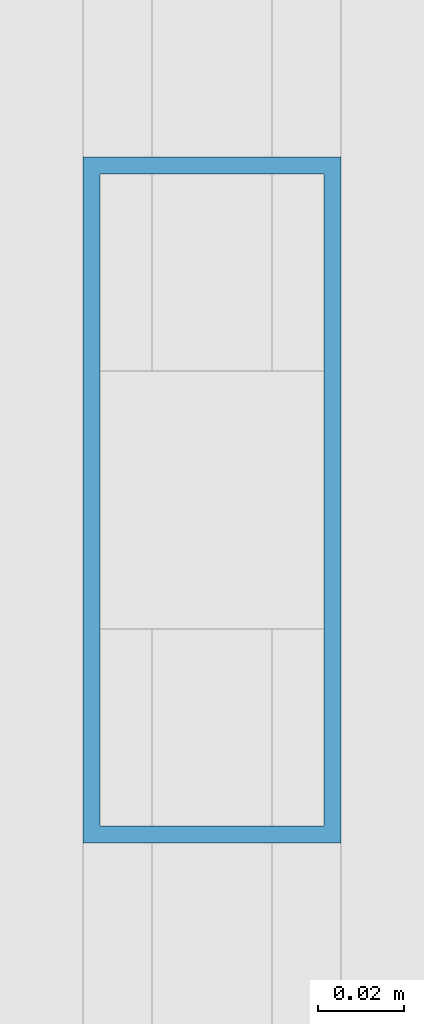
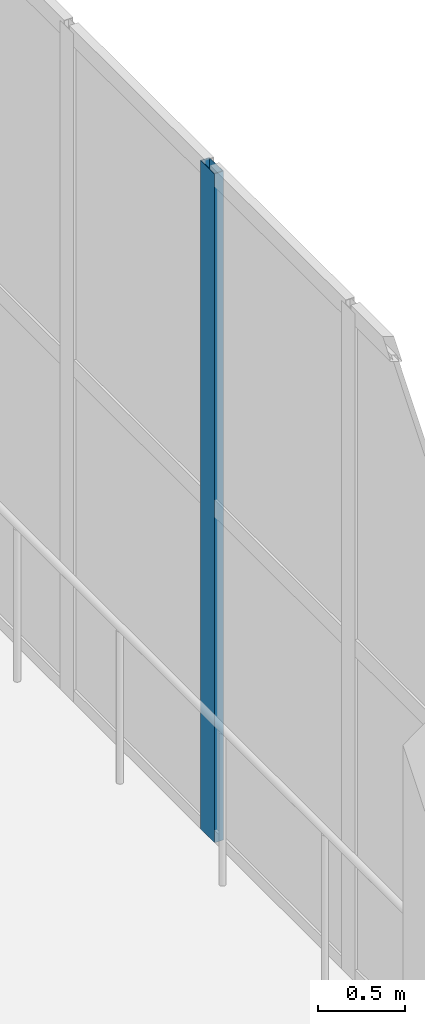
# One storey, part 36 of 223: 1 member, 1 element without a shape of its own.
"""IFC4 building model written with IfcOpenShell, lengths in metres."""

from ifc_helpers import new_model, si_unit, direction, frame, origin, origin_2d, place, context, subcontext, project, spatial, hollow_rectangle, extrude, material, layer, layer_set, material_profile, profile_set, type_object, element, aggregate, save


model = new_model("IFC4")

# Units and contexts
model_context = context("Model", 3, precision=1e-05, world=origin(), true_north=direction((0.0, 1.0)))
body_context = subcontext(model_context, "Body", "Model", "MODEL_VIEW")
ifc_project = project(units=[si_unit("LENGTHUNIT", "METRE"), si_unit("AREAUNIT", "SQUARE_METRE"), si_unit("VOLUMEUNIT", "CUBIC_METRE"), si_unit("PLANEANGLEUNIT", "RADIAN"), si_unit("MASSUNIT", "GRAM", prefix="KILO")], contexts=[model_context])

# Site, building, storey
site_placement = place(None, origin())
site = spatial("IfcSite", under=ifc_project, at=site_placement, CompositionType="ELEMENT")
building_placement = place(site_placement, origin())
building = spatial("IfcBuilding", under=site, at=building_placement, Name="Dornveld Trade and Exhibition Forum", CompositionType="ELEMENT")
storey_placement = place(building_placement, frame((0.0, 0.0, 6.0)))
storey = spatial("IfcBuildingStorey", under=building, at=storey_placement, Name="L01", CompositionType="ELEMENT", Elevation=6.0)

# Curtain wall, member
ifc_material_1 = material(Name="Dark-bronze anodised aluminium and low-E glass", Category="aluminium")
ifc_layer = layer(ifc_material_1, 0.172119140625)
ifc_layer_set = layer_set([ifc_layer], Name="Dark-bronze anodised aluminium and low-E glass")
curtain_wall_type = type_object("IfcCurtainWallType", Name="CW-SYS-10", PredefinedType="USERDEFINED", material=ifc_layer_set)
curtain_wall_placement = place(storey_placement, origin())
curtain_wall = element("IfcCurtainWall", 1, at=curtain_wall_placement, inside=storey, type_object=curtain_wall_type, Name="L01 unitised curtain wall 10", ObjectType="UNITISED_CURTAIN_WALL", PredefinedType="USERDEFINED")
ifc_material_2 = material(Name="Dark-bronze anodised aluminium", Category="aluminium")
ifc_material_profile = material_profile(ifc_material_2, hollow_rectangle(XDim=0.06005859375, YDim=0.159912109375, WallThickness=0.00390625, at=origin_2d()), Name="RHS 160x60x4")
ifc_profile_set = profile_set([ifc_material_profile], Name="Dark-bronze anodised aluminium")
member_type = type_object("IfcMemberType", Name="CW-MUL-160", PredefinedType="MULLION", material=ifc_profile_set)
member_placement = place(storey_placement, frame((99.0, 120.689208984375, -0.00390625), z_axis=(0.0, 0.0, 1.0), x_axis=(1.0, 0.0, 0.0)))
member = element("IfcMember", 2, at=member_placement, type_object=member_type, Name="CW-10 mullion 4", PredefinedType="MULLION", context=body_context, shape_type="SweptSolid", body=[
    extrude(hollow_rectangle(XDim=0.06005859375, YDim=0.159912109375, WallThickness=0.00390625, at=origin_2d()), origin(), (0.0, 0.0, 1.0), 4.703857421875),
])
aggregate(curtain_wall, [member])

save(model, "model.ifc")
